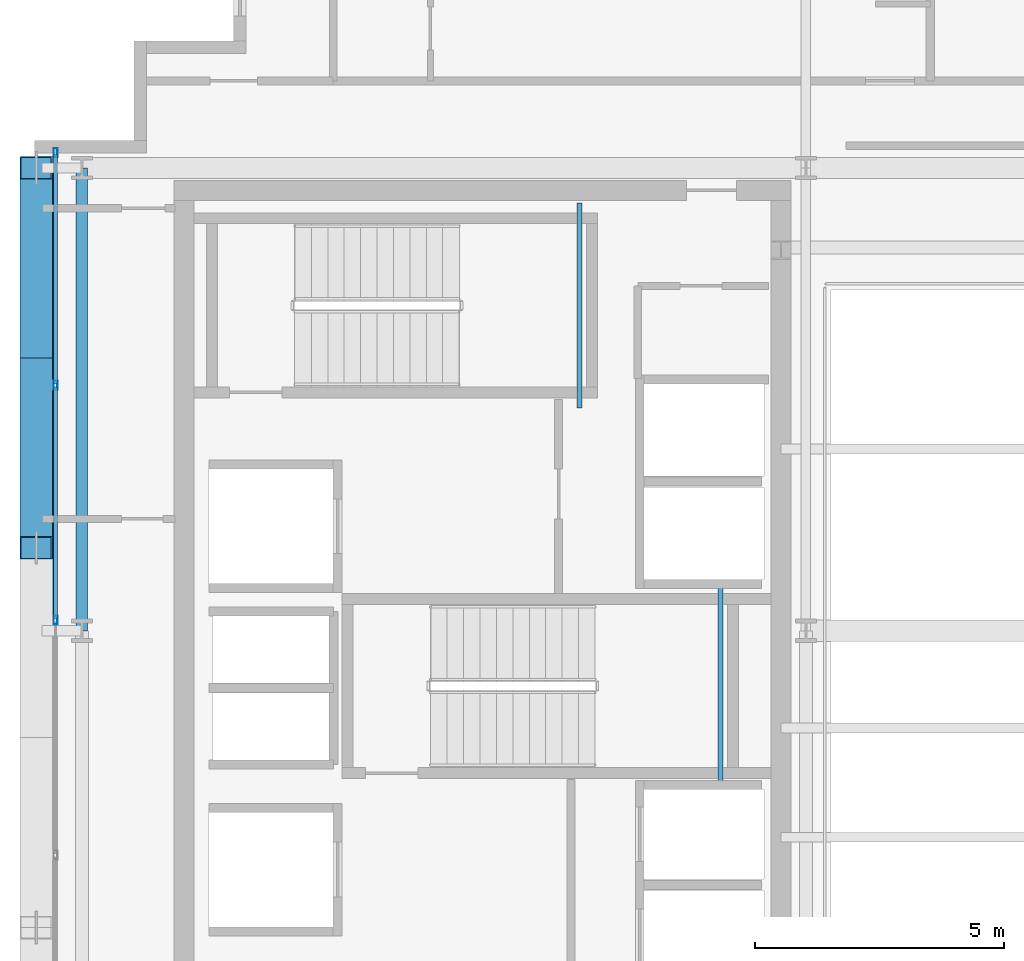
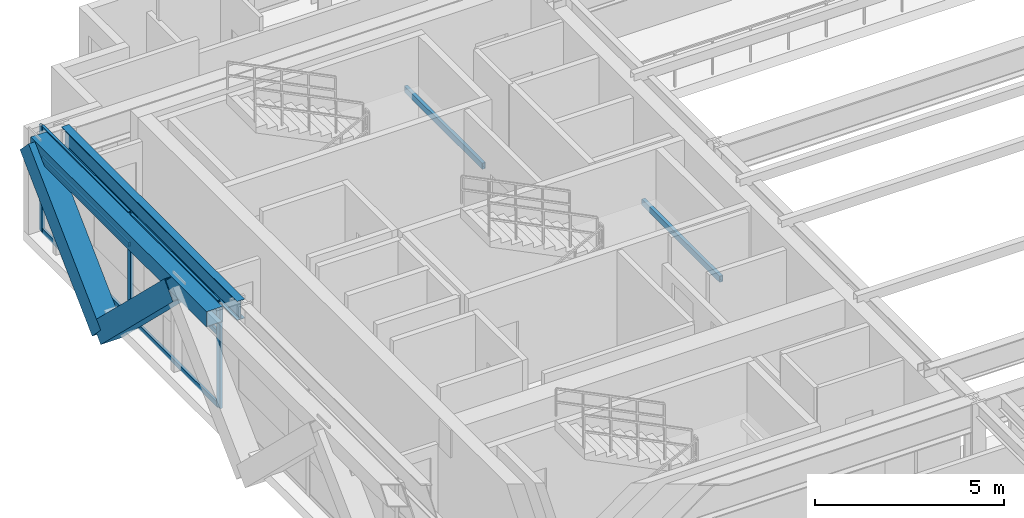
# One storey, part 8 of 29: 11 members, 4 beams, 1 element without a shape of its own.
"""IFC4 building model written with IfcOpenShell, lengths in metres."""

from ifc_helpers import new_model, si_unit, direction, frame, origin, origin_2d, place, context, subcontext, project, spatial, hollow_rectangle, i_section, extrude, source, transform, mapped, material, layer, layer_set, material_profile, profile_set, type_object, element, aggregate, save


model = new_model("IFC4")

# Units and contexts
model_context = context("Model", 3, precision=1e-05, world=origin(), true_north=direction((0.0, 1.0)))
body_context = subcontext(model_context, "Body", "Model", "MODEL_VIEW")
ifc_project = project(units=[si_unit("LENGTHUNIT", "METRE"), si_unit("AREAUNIT", "SQUARE_METRE"), si_unit("VOLUMEUNIT", "CUBIC_METRE"), si_unit("PLANEANGLEUNIT", "RADIAN"), si_unit("MASSUNIT", "GRAM", prefix="KILO")], contexts=[model_context])

# Site, building, storey
site_placement = place(None, origin())
site = spatial("IfcSite", under=ifc_project, at=site_placement, CompositionType="ELEMENT")
building_placement = place(site_placement, origin())
building = spatial("IfcBuilding", under=site, at=building_placement, Name="Ocotamira Hotel", CompositionType="ELEMENT")
storey_placement = place(building_placement, frame((0.0, 0.0, 247.199951171875)))
storey = spatial("IfcBuildingStorey", under=building, at=storey_placement, Name="L62", CompositionType="ELEMENT", Elevation=247.199951171875)

# Beams
ifc_material_1 = material(Name="Steel ASTM A500 Grade C", Category="steel")
ifc_material_profile_1 = material_profile(ifc_material_1, hollow_rectangle(XDim=0.10009765625, YDim=0.199951171875, WallThickness=0.008056640625, at=origin_2d()), Name="HSS200X100X8")
ifc_profile_set_1 = profile_set([ifc_material_profile_1], Name="Steel ASTM A500 Grade C")
beam_type_1 = type_object("IfcBeamType", Name="BM-STLDG-HSS200", PredefinedType="BEAM", material=ifc_profile_set_1)
shared_shape_1 = source(origin(), body_context, "Body", "SweptSolid", [
    extrude(hollow_rectangle(XDim=0.10009765625, YDim=0.199951171875, WallThickness=0.008056640625, at=origin_2d()), origin(), (0.0, 0.0, 1.0), 4.1201171875),
])
for number, where, z_axis, x_axis, name in (
    (1, (18.949951171875, 32.6298828125, 1.5), (0.0, 1.0, 0.0), (-1.0, 0.0, 0.0), "L62 Stair ST-2 Landing Bearer 1"),
    (2, (21.780029296875, 24.97998046875, 1.5), (0.0, 1.0, 0.0), (-1.0, 0.0, 0.0), "L62 Stair ST-3 Landing Bearer 1"),
):
    element("IfcBeam", number, at=place(storey_placement, frame(where, z_axis=z_axis, x_axis=x_axis)), inside=storey, type_object=beam_type_1, Name=name, PredefinedType="BEAM", context=body_context, shape_type="MappedRepresentation", body=[
        mapped(shared_shape_1, transform((0.0, 0.0, 0.0), scale=1.0)),
    ])
ifc_material_2 = material(Name="Steel ASTM A992 Grade 50", Category="steel")
ifc_material_profile_2 = material_profile(ifc_material_2, i_section(OverallWidth=0.22998046875, OverallDepth=0.616943359375, WebThickness=0.01318359375, FlangeThickness=0.022216796875, FilletRadius=0.012939453125, at=origin_2d()), Name="W24X94")
ifc_profile_set_2 = profile_set([ifc_material_profile_2], Name="Steel ASTM A992 Grade 50")
beam_type_2 = type_object("IfcBeamType", Name="BM-PRIM-W24X94", PredefinedType="BEAM", material=ifc_profile_set_2)
shared_shape_2 = source(origin(), body_context, "Body", "SweptSolid", [
    extrude(i_section(OverallWidth=0.22998046875, OverallDepth=0.616943359375, WebThickness=0.01318359375, FlangeThickness=0.022216796875, FilletRadius=0.012939453125, at=origin_2d()), origin(), (0.0, 0.0, 1.0), 9.300048828125),
])
beam_1_placement = place(storey_placement, frame((8.949951171875, 28.14990234375, 3.071533203125), z_axis=(0.0, 1.0, 0.0), x_axis=(-1.0, 0.0, 0.0)))
element("IfcBeam", 3, at=beam_1_placement, inside=storey, type_object=beam_type_2, Name="L62 Beam X8.95 Y28.15-37.45", PredefinedType="BEAM", context=body_context, shape_type="MappedRepresentation", body=[
    mapped(shared_shape_2, transform((0.0, 0.0, 0.0), scale=1.0)),
])
ifc_material_profile_3 = material_profile(ifc_material_1, hollow_rectangle(XDim=0.5, YDim=0.5, WallThickness=0.02001953125, at=origin_2d()), Name="HSS500X500X20")
ifc_profile_set_3 = profile_set([ifc_material_profile_3], Name="Steel ASTM A500 Grade C")
beam_type_3 = type_object("IfcBeamType", Name="BM-SPAN-HSS500", PredefinedType="USERDEFINED", material=ifc_profile_set_3)
shared_shape_3 = source(origin(), body_context, "Body", "SweptSolid", [
    extrude(hollow_rectangle(XDim=0.5, YDim=0.5, WallThickness=0.02001953125, at=origin_2d()), origin(), (0.0, 0.0, 1.0), 9.300048828125),
])
beam_2_placement = place(storey_placement, frame((8.14990234375, 28.14990234375, 3.130126953125), z_axis=(0.0, 1.0, 0.0), x_axis=(-1.0, 0.0, 0.0)))
element("IfcBeam", 4, at=beam_2_placement, inside=storey, type_object=beam_type_3, Name="L62 Edge Spandrel W Y28.15-37.45", ObjectType="SPANDREL", PredefinedType="USERDEFINED", context=body_context, shape_type="MappedRepresentation", body=[
    mapped(shared_shape_3, transform((0.0, 0.0, 0.0), scale=1.0)),
])

# Members
ifc_material_3 = material(Name="Pale-metal coated steel ASTM A913 Grade 65", Category="steel")
ifc_material_profile_4 = material_profile(ifc_material_3, hollow_rectangle(XDim=0.64990234375, YDim=0.64990234375, WallThickness=0.02197265625, at=origin_2d()), Name="BOX650X650X22")
ifc_profile_set_4 = profile_set([ifc_material_profile_4], Name="Pale-metal coated steel ASTM A913 Grade 65")
member_type_1 = type_object("IfcMemberType", Name="MEM-EXO-BOX650", PredefinedType="BRACE", material=ifc_profile_set_4)
shared_shape_4 = source(origin(), body_context, "Body", "SweptSolid", [
    extrude(hollow_rectangle(XDim=0.64990234375, YDim=0.64990234375, WallThickness=0.02197265625, at=origin_2d()), origin(), (0.0, 0.0, 1.0), 5.31591796875),
])
for number, where, z_axis, x_axis, name in (
    (5, (8.030029296875, 33.63330078125, -0.570068359375), (0.0, -0.717975506843, 0.696068367026), (1.0, 0.0, 0.0), "L62 Exoskeleton Diagrid W2.1"),
    (6, (8.030029296875, 33.63330078125, -0.570068359375), (0.0, 0.717975506843, 0.696068367026), (-1.0, 0.0, 0.0), "L62 Exoskeleton Diagrid W2.2"),
):
    element("IfcMember", number, at=place(storey_placement, frame(where, z_axis=z_axis, x_axis=x_axis)), inside=storey, type_object=member_type_1, Name=name, PredefinedType="BRACE", context=body_context, shape_type="MappedRepresentation", body=[
        mapped(shared_shape_4, transform((0.0, 0.0, 0.0), scale=1.0)),
    ])

# Curtain wall, members
ifc_material_4 = material(Name="Anodised pale-metal aluminium and solar glass", Category="aluminium")
ifc_layer = layer(ifc_material_4, 0.239990234375)
ifc_layer_set = layer_set([ifc_layer], Name="Anodised pale-metal aluminium and solar glass")
curtain_wall_type = type_object("IfcCurtainWallType", Name="CW-SYS5-SKY", PredefinedType="NOTDEFINED", material=ifc_layer_set)
curtain_wall_placement = place(storey_placement, origin())
curtain_wall = element("IfcCurtainWall", 7, at=curtain_wall_placement, inside=storey, type_object=curtain_wall_type, Name="L62 Curtain Wall CW-5 CW-L62-W", PredefinedType="NOTDEFINED")
ifc_material_5 = material(Name="Anodised pale-metal aluminium 6063-T6", Category="aluminium")
ifc_material_profile_5 = material_profile(ifc_material_5, hollow_rectangle(XDim=0.074951171875, YDim=0.14990234375, WallThickness=0.006103515625, at=origin_2d()), Name="HSS150X75X6")
ifc_profile_set_5 = profile_set([ifc_material_profile_5], Name="Anodised pale-metal aluminium 6063-T6")
member_type_2 = type_object("IfcMemberType", Name="CWT-150X75", PredefinedType="USERDEFINED", material=ifc_profile_set_5)
shared_shape_5 = source(origin(), body_context, "Body", "SweptSolid", [
    extrude(hollow_rectangle(XDim=0.074951171875, YDim=0.14990234375, WallThickness=0.006103515625, at=origin_2d()), origin(), (0.0, 0.0, 1.0), 4.599853515625),
])
member_1_placement = place(storey_placement, frame((8.419921875, 33.1201171875, 0.03759765625), z_axis=(0.0, 1.0, 0.0), x_axis=(-1.0, 0.0, 0.0)))
member_1 = element("IfcMember", 8, at=member_1_placement, type_object=member_type_2, Name="CW-5 transom 5.1", ObjectType="TRANSOM", PredefinedType="USERDEFINED", context=body_context, shape_type="MappedRepresentation", body=[
    mapped(shared_shape_5, transform((0.0, 0.0, 0.0), scale=1.0)),
])
member_2_placement = place(storey_placement, frame((8.419921875, 33.1201171875, 2.35009765625), z_axis=(0.0, 1.0, 0.0), x_axis=(-1.0, 0.0, 0.0)))
member_2 = element("IfcMember", 9, at=member_2_placement, type_object=member_type_2, Name="CW-5 transom 5.2", ObjectType="TRANSOM", PredefinedType="USERDEFINED", context=body_context, shape_type="MappedRepresentation", body=[
    mapped(shared_shape_5, transform((0.0, 0.0, 0.0), scale=1.0)),
])
member_3_placement = place(storey_placement, frame((8.419921875, 33.1201171875, 3.342529296875), z_axis=(0.0, 1.0, 0.0), x_axis=(-1.0, 0.0, 0.0)))
member_3 = element("IfcMember", 10, at=member_3_placement, type_object=member_type_2, Name="CW-5 transom 5.3", ObjectType="TRANSOM", PredefinedType="USERDEFINED", context=body_context, shape_type="MappedRepresentation", body=[
    mapped(shared_shape_5, transform((0.0, 0.0, 0.0), scale=1.0)),
])
shared_shape_6 = source(origin(), body_context, "Body", "SweptSolid", [
    extrude(hollow_rectangle(XDim=0.074951171875, YDim=0.14990234375, WallThickness=0.006103515625, at=origin_2d()), origin(), (0.0, 0.0, 1.0), 4.64013671875),
])
member_4_placement = place(storey_placement, frame((8.419921875, 28.39990234375, 0.03759765625), z_axis=(0.0, 1.0, 0.0), x_axis=(-1.0, 0.0, 0.0)))
member_4 = element("IfcMember", 11, at=member_4_placement, type_object=member_type_2, Name="CW-5 transom 4.1", ObjectType="TRANSOM", PredefinedType="USERDEFINED", context=body_context, shape_type="MappedRepresentation", body=[
    mapped(shared_shape_6, transform((0.0, 0.0, 0.0), scale=1.0)),
])
member_5_placement = place(storey_placement, frame((8.419921875, 28.39990234375, 2.35009765625), z_axis=(0.0, 1.0, 0.0), x_axis=(-1.0, 0.0, 0.0)))
member_5 = element("IfcMember", 12, at=member_5_placement, type_object=member_type_2, Name="CW-5 transom 4.2", ObjectType="TRANSOM", PredefinedType="USERDEFINED", context=body_context, shape_type="MappedRepresentation", body=[
    mapped(shared_shape_6, transform((0.0, 0.0, 0.0), scale=1.0)),
])
member_6_placement = place(storey_placement, frame((8.419921875, 28.39990234375, 3.342529296875), z_axis=(0.0, 1.0, 0.0), x_axis=(-1.0, 0.0, 0.0)))
member_6 = element("IfcMember", 13, at=member_6_placement, type_object=member_type_2, Name="CW-5 transom 4.3", ObjectType="TRANSOM", PredefinedType="USERDEFINED", context=body_context, shape_type="MappedRepresentation", body=[
    mapped(shared_shape_6, transform((0.0, 0.0, 0.0), scale=1.0)),
])
ifc_material_profile_6 = material_profile(ifc_material_5, hollow_rectangle(XDim=0.080078125, YDim=0.179931640625, WallThickness=0.006103515625, at=origin_2d()), Name="HSS180X80X6")
ifc_profile_set_6 = profile_set([ifc_material_profile_6], Name="Anodised pale-metal aluminium 6063-T6")
member_type_3 = type_object("IfcMemberType", Name="CWM-180X75", PredefinedType="MULLION", material=ifc_profile_set_6)
shared_shape_7 = source(origin(), body_context, "Body", "SweptSolid", [
    extrude(hollow_rectangle(XDim=0.080078125, YDim=0.179931640625, WallThickness=0.006103515625, at=origin_2d()), origin(), (0.0, 0.0, 1.0), 3.380126953125),
])
member_7_placement = place(storey_placement, frame((8.419921875, 28.360107421875, 0.0), z_axis=(0.0, 0.0, 1.0), x_axis=(-1.0, 0.0, 0.0)))
member_7 = element("IfcMember", 14, at=member_7_placement, type_object=member_type_3, Name="CW-5 mullion 4", PredefinedType="MULLION", context=body_context, shape_type="MappedRepresentation", body=[
    mapped(shared_shape_7, transform((0.0, 0.0, 0.0), scale=1.0)),
])
member_8_placement = place(storey_placement, frame((8.419921875, 33.080078125, 0.0), z_axis=(0.0, 0.0, 1.0), x_axis=(-1.0, 0.0, 0.0)))
member_8 = element("IfcMember", 15, at=member_8_placement, type_object=member_type_3, Name="CW-5 mullion 5", PredefinedType="MULLION", context=body_context, shape_type="MappedRepresentation", body=[
    mapped(shared_shape_7, transform((0.0, 0.0, 0.0), scale=1.0)),
])
member_9_placement = place(storey_placement, frame((8.419921875, 37.760009765625, 0.0), z_axis=(0.0, 0.0, 1.0), x_axis=(-1.0, 0.0, 0.0)))
member_9 = element("IfcMember", 16, at=member_9_placement, type_object=member_type_3, Name="CW-5 mullion 6", PredefinedType="MULLION", context=body_context, shape_type="MappedRepresentation", body=[
    mapped(shared_shape_7, transform((0.0, 0.0, 0.0), scale=1.0)),
])
aggregate(curtain_wall, [member_7, member_8, member_9, member_4, member_5, member_6, member_1, member_2, member_3])

save(model, "model.ifc")
